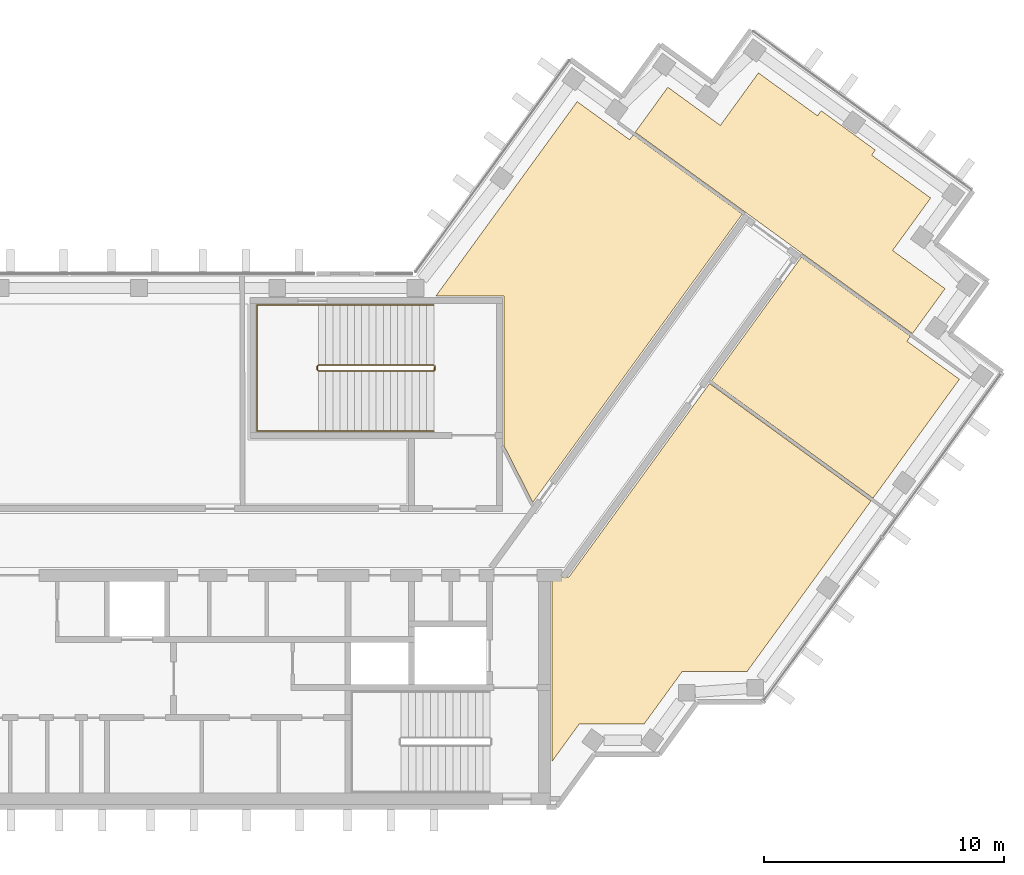
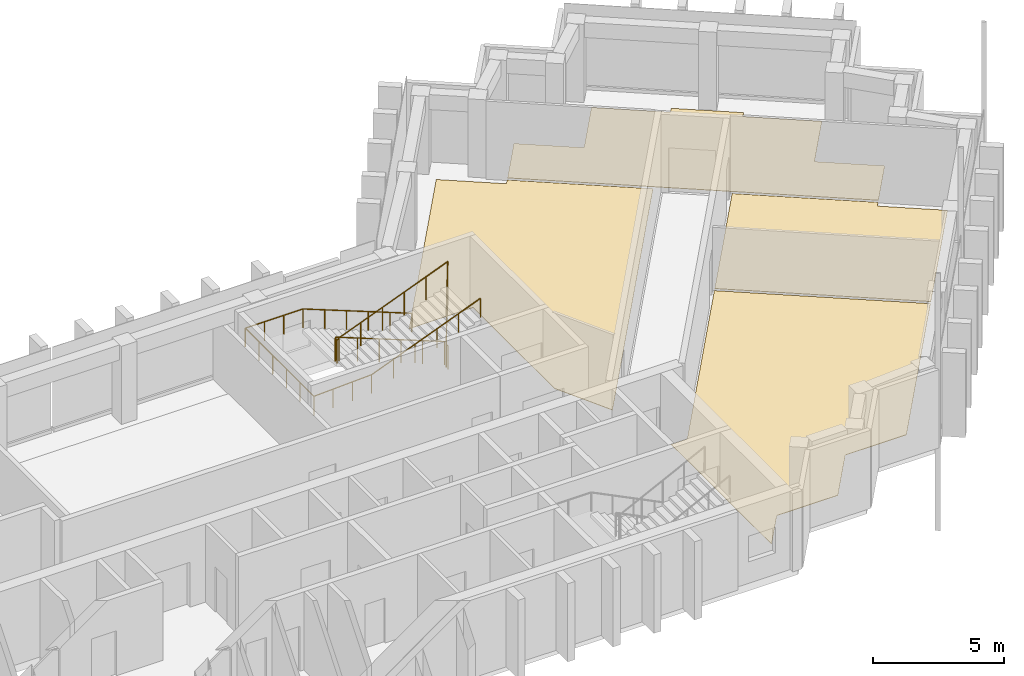
# One storey, part 10 of 10: 4 coverings, 2 railings.
"""IFC4 building model written with IfcOpenShell, lengths in metres."""

from ifc_helpers import new_model, si_unit, direction, frame, origin, origin_2d, place, context, subcontext, project, spatial, polyline, circle, outline, extrude, material, layer, layer_set, type_object, element, save


model = new_model("IFC4")

# Units and contexts
model_context = context("Model", 3, precision=1e-05, world=origin(), true_north=direction((0.0, 1.0)))
body_context = subcontext(model_context, "Body", "Model", "MODEL_VIEW")
ifc_project = project(units=[si_unit("LENGTHUNIT", "METRE"), si_unit("AREAUNIT", "SQUARE_METRE"), si_unit("VOLUMEUNIT", "CUBIC_METRE"), si_unit("PLANEANGLEUNIT", "RADIAN"), si_unit("MASSUNIT", "GRAM", prefix="KILO")], contexts=[model_context])

# Site, building, storey
site_placement = place(None, origin())
site = spatial("IfcSite", under=ifc_project, at=site_placement, CompositionType="ELEMENT")
building_placement = place(site_placement, origin())
building = spatial("IfcBuilding", under=site, at=building_placement, Name="Quipu Civic Tower", CompositionType="ELEMENT")
storey_placement = place(building_placement, frame((0.0, 0.0, 327.0)))
storey = spatial("IfcBuildingStorey", under=building, at=storey_placement, Name="L76", CompositionType="ELEMENT", Elevation=327.0)

# Coverings
ifc_material_1 = material(Name="Carpet tile on raised access floor")
ifc_layer = layer(ifc_material_1, 0.02001953125)
ifc_layer_set = layer_set([ifc_layer], Name="Carpet tile on raised access floor")
covering_type = type_object("IfcCoveringType", Name="Carpet tile floor finish 20", PredefinedType="FLOORING", material=ifc_layer_set)
covering_1_placement = place(storey_placement, origin())
element("IfcCovering", 1, at=covering_1_placement, inside=storey, type_object=covering_type, Name="Carpet tile floor finish 20", PredefinedType="FLOORING", context=body_context, shape_type="SweptSolid", body=[
    extrude(outline(polyline([(15.238037109375, 10.169921875), (21.115966796875, 18.260986328125), (23.299072265625, 16.676025390625), (23.447998046875, 16.876953125), (27.987060546875, 13.5791015625), (19.27197265625, 1.583984375), (18.070068359375, 3.94189453125), (18.070068359375, 10.1689453125), (15.238037109375, 10.169921875)])), origin(), (0.0, 0.0, 1.0), 0.02001953125),
])
covering_2_placement = place(storey_placement, origin())
element("IfcCovering", 2, at=covering_2_placement, inside=storey, type_object=covering_type, Name="Carpet tile floor finish 20", PredefinedType="FLOORING", context=body_context, shape_type="SweptSolid", body=[
    extrude(outline(polyline([(26.705078125, 6.64208984375), (30.446044921875, 11.7919921875), (34.985107421875, 8.493896484375), (34.839111328125, 8.291015625), (37.02197265625, 6.7060546875), (33.427978515625, 1.758056640625), (26.705078125, 6.64208984375)])), origin(), (0.0, 0.0, 1.0), 0.02001953125),
])
covering_3_placement = place(storey_placement, origin())
element("IfcCovering", 3, at=covering_3_placement, inside=storey, type_object=covering_type, Name="Carpet tile floor finish 20", PredefinedType="FLOORING", context=body_context, shape_type="SweptSolid", body=[
    extrude(outline(polyline([(23.531005859375, 16.989013671875), (24.888916015625, 18.85791015625), (27.073974609375, 17.27197265625), (28.658935546875, 19.455078125), (31.116943359375, 17.6708984375), (31.27099609375, 17.8798828125), (33.52197265625, 16.2451171875), (33.3701171875, 16.032958984375), (35.826904296875, 14.248046875), (34.240966796875, 12.06396484375), (36.425048828125, 10.47705078125), (35.068115234375, 8.60791015625), (23.531005859375, 16.989013671875)])), origin(), (0.0, 0.0, 1.0), 0.02001953125),
])
covering_4_placement = place(storey_placement, origin())
element("IfcCovering", 4, at=covering_4_placement, inside=storey, type_object=covering_type, Name="Carpet tile floor finish 20", PredefinedType="FLOORING", context=body_context, shape_type="SweptSolid", body=[
    extrude(outline(polyline([(20.070068359375, -9.195068359375), (20.070068359375, -1.52001953125), (20.77490234375, -1.51904296875), (26.6220703125, 6.529052734375), (33.344970703125, 1.64501953125), (28.181884765625, -5.4609375), (25.48193359375, -5.4619140625), (23.89501953125, -7.64599609375), (21.196044921875, -7.64599609375), (20.070068359375, -9.195068359375)])), origin(), (0.0, 0.0, 1.0), 0.02001953125),
])

# Railings
ifc_material_2 = material(Name="Stainless steel", Category="steel")
railing_type_1 = type_object("IfcRailingType", Name="Stair guard 1100", PredefinedType="GUARDRAIL", material=ifc_material_2)
railing_1_placement = place(storey_placement, frame((15.14990234375, 7.300048828125, 0.11767578125)))
element("IfcRailing", 5, at=railing_1_placement, inside=storey, type_object=railing_type_1, Name="Stair 4 guard", PredefinedType="GUARDRAIL", context=body_context, shape_type="SweptSolid", body=[
    extrude(circle(Radius=0.02392578125, at=origin_2d()), frame((0.0, 0.0, 1.076171875), z_axis=(-0.930970042603, 0.0, 0.365095576219), x_axis=(0.0, -1.0, 0.0)), (0.0, 0.0, 1.0), 5.15576171875),
    extrude(circle(Radius=0.02392578125, at=origin_2d()), frame((-4.7998046875, 0.0, 2.95849609375), z_axis=(-0.707106781187, -0.707106781187, 0.0), x_axis=(0.707106781187, -0.707106781187, 0.0)), (0.0, 0.0, 1.0), 0.07080078125),
    extrude(circle(Radius=0.02392578125, at=origin_2d()), frame((-4.849853515625, -0.050048828125, 2.95849609375), z_axis=(0.0, -1.0, 0.0), x_axis=(1.0, 0.0, 0.0)), (0.0, 0.0, 1.0), 0.14990234375),
    extrude(circle(Radius=0.02392578125, at=origin_2d()), frame((-4.849853515625, -0.199951171875, 2.95849609375), z_axis=(0.364463019033, -0.364463019033, 0.856932561824), x_axis=(0.707106781187, 0.707106781187, 0.0)), (0.0, 0.0, 1.0), 0.13720703125),
    extrude(circle(Radius=0.02392578125, at=origin_2d()), frame((-4.7998046875, -0.25, 3.076171875), z_axis=(0.930970042603, 0.0, 0.365095576219), x_axis=(0.0, 1.0, 0.0)), (0.0, 0.0, 1.0), 5.15576171875),
    extrude(circle(Radius=0.02392578125, at=origin_2d()), frame((0.0, -0.25, 4.95849609375), z_axis=(0.012495627992, 0.049921557685, -0.998674970829), x_axis=(-0.970072785993, 0.242814311512, 0.0)), (0.0, 0.0, 1.0), 4.00537109375),
    extrude(circle(Radius=0.02392578125, at=origin_2d()), frame((0.050048828125, -0.050048828125, 0.95849609375), z_axis=(0.0, -1.0, 0.0), x_axis=(1.0, 0.0, 0.0)), (0.0, 0.0, 1.0), 0.14990234375),
    extrude(circle(Radius=0.02099609375, at=origin_2d()), origin(), (0.0, 0.0, 1.0), 1.052001953125),
    extrude(circle(Radius=0.02099609375, at=origin_2d()), frame((-0.9599609375, 0.0, 0.37646484375)), (0.0, 0.0, 1.0), 1.052001953125),
    extrude(circle(Radius=0.02099609375, at=origin_2d()), frame((-1.919921875, 0.0, 0.7529296875)), (0.0, 0.0, 1.0), 1.052001953125),
    extrude(circle(Radius=0.02099609375, at=origin_2d()), frame((-2.8798828125, 0.0, 1.12939453125)), (0.0, 0.0, 1.0), 1.052001953125),
    extrude(circle(Radius=0.02099609375, at=origin_2d()), frame((-3.83984375, 0.0, 1.505859375)), (0.0, 0.0, 1.0), 1.052001953125),
    extrude(circle(Radius=0.02099609375, at=origin_2d()), frame((-4.7998046875, 0.0, 1.88232421875)), (0.0, 0.0, 1.0), 1.052001953125),
    extrude(circle(Radius=0.02099609375, at=origin_2d()), frame((-4.849853515625, -0.050048828125, 1.88232421875)), (0.0, 0.0, 1.0), 1.052001953125),
    extrude(circle(Radius=0.02099609375, at=origin_2d()), frame((-4.849853515625, -0.199951171875, 1.88232421875)), (0.0, 0.0, 1.0), 1.052001953125),
    extrude(circle(Radius=0.02099609375, at=origin_2d()), frame((-4.7998046875, -0.25, 2.0)), (0.0, 0.0, 1.0), 1.052001953125),
    extrude(circle(Radius=0.02099609375, at=origin_2d()), frame((-3.83984375, -0.25, 2.37646484375)), (0.0, 0.0, 1.0), 1.052001953125),
    extrude(circle(Radius=0.02099609375, at=origin_2d()), frame((-2.8798828125, -0.25, 2.7529296875)), (0.0, 0.0, 1.0), 1.052001953125),
    extrude(circle(Radius=0.02099609375, at=origin_2d()), frame((-1.919921875, -0.25, 3.12939453125)), (0.0, 0.0, 1.0), 1.052001953125),
    extrude(circle(Radius=0.02099609375, at=origin_2d()), frame((-0.9599609375, -0.25, 3.505859375)), (0.0, 0.0, 1.0), 1.052001953125),
    extrude(circle(Radius=0.02099609375, at=origin_2d()), frame((0.0, -0.25, 3.88232421875)), (0.0, 0.0, 1.0), 1.052001953125),
    extrude(circle(Radius=0.02099609375, at=origin_2d()), frame((0.012451171875, -0.199951171875, 2.88232421875)), (0.0, 0.0, 1.0), 1.052001953125),
    extrude(circle(Radius=0.02099609375, at=origin_2d()), frame((0.02490234375, -0.14990234375, 1.88232421875)), (0.0, 0.0, 1.0), 1.052001953125),
    extrude(circle(Radius=0.02099609375, at=origin_2d()), frame((0.03759765625, -0.10009765625, 0.88232421875)), (0.0, 0.0, 1.0), 1.052001953125),
    extrude(circle(Radius=0.02099609375, at=origin_2d()), frame((0.050048828125, -0.050048828125, -0.11767578125)), (0.0, 0.0, 1.0), 1.052001953125),
    extrude(circle(Radius=0.02099609375, at=origin_2d()), frame((0.050048828125, -0.199951171875, -0.11767578125)), (0.0, 0.0, 1.0), 1.052001953125),
])
ifc_material_3 = material(Name="Stainless steel", Category="steel")
railing_type_2 = type_object("IfcRailingType", Name="Stair handrail", PredefinedType="HANDRAIL", material=ifc_material_3)
railing_2_placement = place(storey_placement, frame((15.14990234375, 9.800048828125, 0.11767578125)))
element("IfcRailing", 6, at=railing_2_placement, inside=storey, type_object=railing_type_2, Name="Stair 4 handrail", PredefinedType="HANDRAIL", context=body_context, shape_type="SweptSolid", body=[
    extrude(circle(Radius=0.02392578125, at=origin_2d()), frame((0.0, 0.0, 0.8759765625), z_axis=(-0.930970042603, 0.0, 0.365095576219), x_axis=(0.0, -1.0, 0.0)), (0.0, 0.0, 1.0), 5.15576171875),
    extrude(circle(Radius=0.02392578125, at=origin_2d()), frame((-4.7998046875, 0.0, 2.75830078125), z_axis=(-1.0, 0.0, 0.0), x_axis=(0.0, -1.0, 0.0)), (0.0, 0.0, 1.0), 2.550048828125),
    extrude(circle(Radius=0.02392578125, at=origin_2d()), frame((-7.349853515625, 0.0, 2.75830078125), z_axis=(0.0, -1.0, 0.0), x_axis=(1.0, 0.0, 0.0)), (0.0, 0.0, 1.0), 5.25),
    extrude(circle(Radius=0.02392578125, at=origin_2d()), frame((-7.349853515625, -5.25, 2.75830078125), z_axis=(0.998936948642, 0.0, 0.04609742549), x_axis=(0.0, 1.0, 0.0)), (0.0, 0.0, 1.0), 2.552734375),
    extrude(circle(Radius=0.02392578125, at=origin_2d()), frame((-4.7998046875, -5.25, 2.8759765625), z_axis=(0.930970042603, 0.0, 0.365095576219), x_axis=(0.0, 1.0, 0.0)), (0.0, 0.0, 1.0), 5.15576171875),
    extrude(circle(Radius=0.02099609375, at=origin_2d()), origin(), (0.0, 0.0, 1.0), 0.851806640625),
    extrude(circle(Radius=0.02099609375, at=origin_2d()), frame((-0.9599609375, 0.0, 0.37646484375)), (0.0, 0.0, 1.0), 0.851806640625),
    extrude(circle(Radius=0.02099609375, at=origin_2d()), frame((-1.919921875, 0.0, 0.7529296875)), (0.0, 0.0, 1.0), 0.851806640625),
    extrude(circle(Radius=0.02099609375, at=origin_2d()), frame((-2.8798828125, 0.0, 1.12939453125)), (0.0, 0.0, 1.0), 0.851806640625),
    extrude(circle(Radius=0.02099609375, at=origin_2d()), frame((-3.83984375, 0.0, 1.505859375)), (0.0, 0.0, 1.0), 0.851806640625),
    extrude(circle(Radius=0.02099609375, at=origin_2d()), frame((-4.7998046875, 0.0, 1.88232421875)), (0.0, 0.0, 1.0), 0.851806640625),
    extrude(circle(Radius=0.02099609375, at=origin_2d()), frame((-5.64990234375, 0.0, 1.88232421875)), (0.0, 0.0, 1.0), 0.851806640625),
    extrude(circle(Radius=0.02099609375, at=origin_2d()), frame((-6.499755859375, 0.0, 1.88232421875)), (0.0, 0.0, 1.0), 0.851806640625),
    extrude(circle(Radius=0.02099609375, at=origin_2d()), frame((-7.349853515625, 0.0, 1.88232421875)), (0.0, 0.0, 1.0), 0.851806640625),
    extrude(circle(Radius=0.02099609375, at=origin_2d()), frame((-7.349853515625, -1.050048828125, 1.88232421875)), (0.0, 0.0, 1.0), 0.851806640625),
    extrude(circle(Radius=0.02099609375, at=origin_2d()), frame((-7.349853515625, -2.10009765625, 1.88232421875)), (0.0, 0.0, 1.0), 0.851806640625),
    extrude(circle(Radius=0.02099609375, at=origin_2d()), frame((-7.349853515625, -3.14990234375, 1.88232421875)), (0.0, 0.0, 1.0), 0.851806640625),
    extrude(circle(Radius=0.02099609375, at=origin_2d()), frame((-7.349853515625, -4.199951171875, 1.88232421875)), (0.0, 0.0, 1.0), 0.851806640625),
    extrude(circle(Radius=0.02099609375, at=origin_2d()), frame((-7.349853515625, -5.25, 1.88232421875)), (0.0, 0.0, 1.0), 0.851806640625),
    extrude(circle(Radius=0.02099609375, at=origin_2d()), frame((-6.499755859375, -5.25, 1.921630859375)), (0.0, 0.0, 1.0), 0.851806640625),
    extrude(circle(Radius=0.02099609375, at=origin_2d()), frame((-5.64990234375, -5.25, 1.960693359375)), (0.0, 0.0, 1.0), 0.851806640625),
    extrude(circle(Radius=0.02099609375, at=origin_2d()), frame((-4.7998046875, -5.25, 2.0)), (0.0, 0.0, 1.0), 0.851806640625),
    extrude(circle(Radius=0.02099609375, at=origin_2d()), frame((-3.83984375, -5.25, 2.37646484375)), (0.0, 0.0, 1.0), 0.851806640625),
    extrude(circle(Radius=0.02099609375, at=origin_2d()), frame((-2.8798828125, -5.25, 2.7529296875)), (0.0, 0.0, 1.0), 0.851806640625),
    extrude(circle(Radius=0.02099609375, at=origin_2d()), frame((-1.919921875, -5.25, 3.12939453125)), (0.0, 0.0, 1.0), 0.851806640625),
    extrude(circle(Radius=0.02099609375, at=origin_2d()), frame((-0.9599609375, -5.25, 3.505859375)), (0.0, 0.0, 1.0), 0.851806640625),
    extrude(circle(Radius=0.02099609375, at=origin_2d()), frame((0.0, -5.25, 3.88232421875)), (0.0, 0.0, 1.0), 0.851806640625),
])

save(model, "model.ifc")
